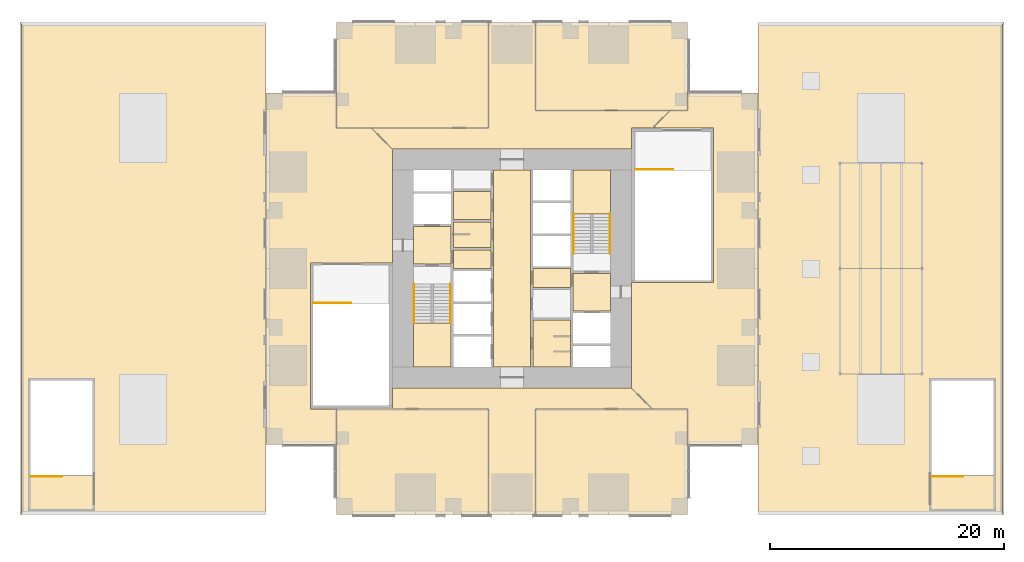
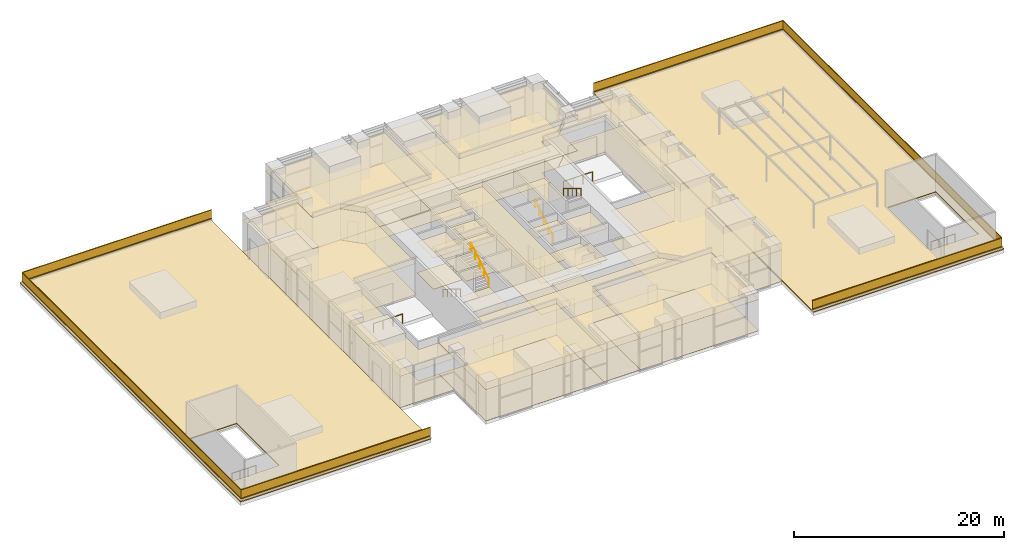
# One storey, part 13 of 14: 36 coverings, 10 railings.
"""IFC4 building model written with IfcOpenShell, lengths in metres."""

from ifc_helpers import new_model, si_unit, direction, frame, origin, origin_2d, place, context, subcontext, project, spatial, polyline, rectangle, circle, outline, extrude, material, layer, layer_set, type_object, element, save


model = new_model("IFC4")

# Units and contexts
model_context = context("Model", 3, precision=1e-05, world=origin(), true_north=direction((0.0, 1.0)))
body_context = subcontext(model_context, "Body", "Model", "MODEL_VIEW")
ifc_project = project(units=[si_unit("LENGTHUNIT", "METRE"), si_unit("AREAUNIT", "SQUARE_METRE"), si_unit("VOLUMEUNIT", "CUBIC_METRE"), si_unit("PLANEANGLEUNIT", "RADIAN"), si_unit("MASSUNIT", "GRAM", prefix="KILO")], contexts=[model_context])

# Site, building, storey
site_placement = place(None, origin())
site = spatial("IfcSite", under=ifc_project, at=site_placement, CompositionType="ELEMENT")
building_placement = place(site_placement, origin())
building = spatial("IfcBuilding", under=site, at=building_placement, Name="Svetlomir Tower", CompositionType="ELEMENT")
storey_placement = place(building_placement, frame((0.0, 0.0, 18.0)))
storey = spatial("IfcBuildingStorey", under=building, at=storey_placement, Name="L03", CompositionType="ELEMENT", Elevation=18.0)

# Coverings
ifc_material_1 = material(Name="Perforated timber acoustic panel", Category="wood")
ifc_layer_1 = layer(ifc_material_1, 0.0400390625)
ifc_layer_set_1 = layer_set([ifc_layer_1], Name="Perforated timber acoustic panel")
covering_type_1 = type_object("IfcCoveringType", Name="ACOUSTIC CEILING 40", PredefinedType="CEILING", material=ifc_layer_set_1)
covering_1_placement = place(storey_placement, frame((0.0, 0.0, 3.610107421875)))
element("IfcCovering", 1, at=covering_1_placement, inside=storey, type_object=covering_type_1, Name="Ceiling L03-13", PredefinedType="CEILING", context=body_context, shape_type="SweptSolid", body=[
    extrude(outline(polyline([(6.0, 0.0), (19.0, 0.0), (19.0, 9.0), (6.0, 9.0), (6.0, 0.0)])), origin(), (0.0, 0.0, 1.0), 0.039794921875),
])
covering_2_placement = place(storey_placement, frame((0.0, 0.0, 3.610107421875)))
element("IfcCovering", 2, at=covering_2_placement, inside=storey, type_object=covering_type_1, Name="Ceiling L03-14", PredefinedType="CEILING", context=body_context, shape_type="SweptSolid", body=[
    extrude(outline(polyline([(23.0, 0.0), (36.0, 0.0), (36.0, 9.0), (23.0, 9.0), (23.0, 0.0)])), origin(), (0.0, 0.0, 1.0), 0.039794921875),
])
covering_3_placement = place(storey_placement, frame((0.0, 0.0, 3.610107421875)))
element("IfcCovering", 3, at=covering_3_placement, inside=storey, type_object=covering_type_1, Name="Ceiling L03-15", PredefinedType="CEILING", context=body_context, shape_type="SweptSolid", body=[
    extrude(outline(polyline([(6.0, 33.0), (19.0, 33.0), (19.0, 42.0), (6.0, 42.0), (6.0, 33.0)])), origin(), (0.0, 0.0, 1.0), 0.039794921875),
])
covering_4_placement = place(storey_placement, frame((0.0, 0.0, 3.610107421875)))
element("IfcCovering", 4, at=covering_4_placement, inside=storey, type_object=covering_type_1, Name="Ceiling L03-16", PredefinedType="CEILING", context=body_context, shape_type="SweptSolid", body=[
    extrude(outline(polyline([(23.0, 34.5), (36.0, 34.5), (36.0, 42.0), (23.0, 42.0), (23.0, 34.5)])), origin(), (0.0, 0.0, 1.0), 0.039794921875),
])
ifc_material_2 = material(Name="Carpet tile", Category="textile")
ifc_layer_2 = layer(ifc_material_2, 0.010009765625)
ifc_layer_set_2 = layer_set([ifc_layer_2], Name="Carpet tile")
covering_type_2 = type_object("IfcCoveringType", Name="CARPET TILE FLOOR 10", PredefinedType="FLOORING", material=ifc_layer_set_2)
covering_5_placement = place(storey_placement, origin())
element("IfcCovering", 5, at=covering_5_placement, inside=storey, type_object=covering_type_2, Name="Floor finish L03-13", PredefinedType="FLOORING", context=body_context, shape_type="SweptSolid", body=[
    extrude(outline(polyline([(6.0, 0.0), (19.0, 0.0), (19.0, 9.0), (6.0, 9.0), (6.0, 0.0)])), origin(), (0.0, 0.0, 1.0), 0.010009765625),
])
covering_6_placement = place(storey_placement, origin())
element("IfcCovering", 6, at=covering_6_placement, inside=storey, type_object=covering_type_2, Name="Floor finish L03-14", PredefinedType="FLOORING", context=body_context, shape_type="SweptSolid", body=[
    extrude(outline(polyline([(23.0, 0.0), (36.0, 0.0), (36.0, 9.0), (23.0, 9.0), (23.0, 0.0)])), origin(), (0.0, 0.0, 1.0), 0.010009765625),
])
covering_7_placement = place(storey_placement, origin())
element("IfcCovering", 7, at=covering_7_placement, inside=storey, type_object=covering_type_2, Name="Floor finish L03-15", PredefinedType="FLOORING", context=body_context, shape_type="SweptSolid", body=[
    extrude(outline(polyline([(6.0, 33.0), (19.0, 33.0), (19.0, 42.0), (6.0, 42.0), (6.0, 33.0)])), origin(), (0.0, 0.0, 1.0), 0.010009765625),
])
covering_8_placement = place(storey_placement, origin())
element("IfcCovering", 8, at=covering_8_placement, inside=storey, type_object=covering_type_2, Name="Floor finish L03-16", PredefinedType="FLOORING", context=body_context, shape_type="SweptSolid", body=[
    extrude(outline(polyline([(23.0, 34.5), (36.0, 34.5), (36.0, 42.0), (23.0, 42.0), (23.0, 34.5)])), origin(), (0.0, 0.0, 1.0), 0.010009765625),
])
covering_9_placement = place(storey_placement, origin())
element("IfcCovering", 9, at=covering_9_placement, inside=storey, type_object=covering_type_2, Name="Floor finish L03-21", PredefinedType="FLOORING", context=body_context, shape_type="SweptSolid", body=[
    extrude(outline(polyline([(19.0, 9.0), (10.800048828125, 9.0), (10.800048828125, 10.800048828125), (31.199951171875, 10.800048828125), (33.0, 9.0), (23.0, 9.0), (23.0, 0.0), (19.0, 0.0), (19.0, 9.0)])), origin(), (0.0, 0.0, 1.0), 0.010009765625),
])
covering_10_placement = place(storey_placement, origin())
element("IfcCovering", 10, at=covering_10_placement, inside=storey, type_object=covering_type_2, Name="Floor finish L03-22", PredefinedType="FLOORING", context=body_context, shape_type="SweptSolid", body=[
    extrude(outline(polyline([(31.199951171875, 19.800048828125), (38.199951171875, 19.800048828125), (38.199951171875, 33.0), (33.0, 33.0), (34.5, 34.5), (36.0, 34.5), (36.0, 36.0), (42.0, 36.0), (42.0, 6.0), (36.0, 6.0), (36.0, 9.0), (33.0, 9.0), (31.199951171875, 10.800048828125), (31.199951171875, 19.800048828125)])), origin(), (0.0, 0.0, 1.0), 0.010009765625),
])
covering_11_placement = place(storey_placement, origin())
element("IfcCovering", 11, at=covering_11_placement, inside=storey, type_object=covering_type_2, Name="Floor finish L03-23", PredefinedType="FLOORING", context=body_context, shape_type="SweptSolid", body=[
    extrude(outline(polyline([(31.199951171875, 33.0), (31.199951171875, 31.199951171875), (10.800048828125, 31.199951171875), (9.0, 33.0), (19.0, 33.0), (19.0, 42.0), (23.0, 42.0), (23.0, 34.5), (34.5, 34.5), (33.0, 33.0), (31.199951171875, 33.0)])), origin(), (0.0, 0.0, 1.0), 0.010009765625),
])
covering_12_placement = place(storey_placement, origin())
element("IfcCovering", 12, at=covering_12_placement, inside=storey, type_object=covering_type_2, Name="Floor finish L03-24", PredefinedType="FLOORING", context=body_context, shape_type="SweptSolid", body=[
    extrude(outline(polyline([(10.800048828125, 31.199951171875), (10.800048828125, 21.5), (3.800048828125, 21.5), (3.800048828125, 9.0), (6.0, 9.0), (6.0, 6.0), (0.0, 6.0), (0.0, 36.0), (6.0, 36.0), (6.0, 33.0), (9.0, 33.0), (10.800048828125, 31.199951171875)])), origin(), (0.0, 0.0, 1.0), 0.010009765625),
])
ifc_material_3 = material(Name="Ceramic floor tile", Category="ceramic")
ifc_layer_3 = layer(ifc_material_3, 0.014892578125)
ifc_layer_set_3 = layer_set([ifc_layer_3], Name="Ceramic floor tile")
covering_type_3 = type_object("IfcCoveringType", Name="CERAMIC TILE FLOOR 15", PredefinedType="FLOORING", material=ifc_layer_set_3)
covering_13_placement = place(storey_placement, origin())
element("IfcCovering", 13, at=covering_13_placement, inside=storey, type_object=covering_type_3, Name="Floor finish L03-04", PredefinedType="FLOORING", context=body_context, shape_type="SweptSolid", body=[
    extrude(outline(polyline([(16.0, 22.800048828125), (19.199951171875, 22.800048828125), (19.199951171875, 25.0), (16.0, 25.0), (16.0, 22.800048828125)])), origin(), (0.0, 0.0, 1.0), 0.014892578125),
])
covering_14_placement = place(storey_placement, origin())
element("IfcCovering", 14, at=covering_14_placement, inside=storey, type_object=covering_type_3, Name="Floor finish L03-05", PredefinedType="FLOORING", context=body_context, shape_type="SweptSolid", body=[
    extrude(outline(polyline([(16.0, 25.199951171875), (19.199951171875, 25.199951171875), (19.199951171875, 27.60009765625), (16.0, 27.60009765625), (16.0, 25.199951171875)])), origin(), (0.0, 0.0, 1.0), 0.014892578125),
])
covering_15_placement = place(storey_placement, origin())
element("IfcCovering", 15, at=covering_15_placement, inside=storey, type_object=covering_type_3, Name="Floor finish L03-08", PredefinedType="FLOORING", context=body_context, shape_type="SweptSolid", body=[
    extrude(outline(polyline([(22.800048828125, 12.60009765625), (26.0, 12.60009765625), (26.0, 16.60009765625), (22.800048828125, 16.60009765625), (22.800048828125, 12.60009765625)])), origin(), (0.0, 0.0, 1.0), 0.014892578125),
])

# Railings
ifc_material_4 = material(Name="Stainless steel", Category="steel")
railing_type_1 = type_object("IfcRailingType", Name="HANDRAIL HR1 900", PredefinedType="HANDRAIL", material=ifc_material_4)
railing_1_placement = place(storey_placement, frame((12.64990234375, 19.699951171875, 0.173095703125)))
element("IfcRailing", 16, at=railing_1_placement, inside=storey, type_object=railing_type_1, Name="Handrail S1 flight 1 L03", PredefinedType="HANDRAIL", context=body_context, shape_type="SweptSolid", body=[
    extrude(circle(Radius=0.02392578125, at=origin_2d()), frame((0.0, 0.0, 0.8759765625), z_axis=(0.0, -0.850606129759, 0.525803396734), x_axis=(1.0, 0.0, 0.0)), (0.0, 0.0, 1.0), 3.949951171875),
    extrude(circle(Radius=0.02099609375, at=origin_2d()), origin(), (0.0, 0.0, 1.0), 0.851806640625),
    extrude(circle(Radius=0.02099609375, at=origin_2d()), frame((0.0, -0.83984375, 0.519287109375)), (0.0, 0.0, 1.0), 0.851806640625),
    extrude(circle(Radius=0.02099609375, at=origin_2d()), frame((0.0, -1.679931640625, 1.03857421875)), (0.0, 0.0, 1.0), 0.851806640625),
    extrude(circle(Radius=0.02099609375, at=origin_2d()), frame((0.0, -2.52001953125, 1.5576171875)), (0.0, 0.0, 1.0), 0.851806640625),
    extrude(circle(Radius=0.02099609375, at=origin_2d()), frame((0.0, -3.35986328125, 2.076904296875)), (0.0, 0.0, 1.0), 0.851806640625),
])
for number, where, name in (
    (17, (15.75, 16.340087890625, 2.423095703125), "Handrail S1 flight 2 L03"),
    (18, (26.25, 22.300048828125, 0.173095703125), "Handrail S2 flight 1 L03"),
):
    element("IfcRailing", number, at=place(storey_placement, frame(where)), inside=storey, type_object=railing_type_1, Name=name, PredefinedType="HANDRAIL", context=body_context, shape_type="SweptSolid", body=[
        extrude(circle(Radius=0.02392578125, at=origin_2d()), frame((0.0, 0.0, 0.8759765625), z_axis=(0.0, 0.850606129759, 0.525803396734), x_axis=(-1.0, 0.0, 0.0)), (0.0, 0.0, 1.0), 3.949951171875),
        extrude(circle(Radius=0.02099609375, at=origin_2d()), origin(), (0.0, 0.0, 1.0), 0.851806640625),
        extrude(circle(Radius=0.02099609375, at=origin_2d()), frame((0.0, 0.83984375, 0.519287109375)), (0.0, 0.0, 1.0), 0.851806640625),
        extrude(circle(Radius=0.02099609375, at=origin_2d()), frame((0.0, 1.679931640625, 1.03857421875)), (0.0, 0.0, 1.0), 0.851806640625),
        extrude(circle(Radius=0.02099609375, at=origin_2d()), frame((0.0, 2.52001953125, 1.5576171875)), (0.0, 0.0, 1.0), 0.851806640625),
        extrude(circle(Radius=0.02099609375, at=origin_2d()), frame((0.0, 3.35986328125, 2.076904296875)), (0.0, 0.0, 1.0), 0.851806640625),
    ])
railing_2_placement = place(storey_placement, frame((29.35009765625, 25.659912109375, 2.423095703125)))
element("IfcRailing", 19, at=railing_2_placement, inside=storey, type_object=railing_type_1, Name="Handrail S2 flight 2 L03", PredefinedType="HANDRAIL", context=body_context, shape_type="SweptSolid", body=[
    extrude(circle(Radius=0.02392578125, at=origin_2d()), frame((0.0, 0.0, 0.8759765625), z_axis=(0.0, -0.850606129759, 0.525803396734), x_axis=(1.0, 0.0, 0.0)), (0.0, 0.0, 1.0), 3.949951171875),
    extrude(circle(Radius=0.02099609375, at=origin_2d()), origin(), (0.0, 0.0, 1.0), 0.851806640625),
    extrude(circle(Radius=0.02099609375, at=origin_2d()), frame((0.0, -0.83984375, 0.519287109375)), (0.0, 0.0, 1.0), 0.851806640625),
    extrude(circle(Radius=0.02099609375, at=origin_2d()), frame((0.0, -1.679931640625, 1.03857421875)), (0.0, 0.0, 1.0), 0.851806640625),
    extrude(circle(Radius=0.02099609375, at=origin_2d()), frame((0.0, -2.52001953125, 1.5576171875)), (0.0, 0.0, 1.0), 0.851806640625),
    extrude(circle(Radius=0.02099609375, at=origin_2d()), frame((0.0, -3.35986328125, 2.076904296875)), (0.0, 0.0, 1.0), 0.851806640625),
])

# Coverings
ifc_material_5 = material(Name="Moisture resistant plasterboard ceiling", Category="gypsum")
ifc_layer_4 = layer(ifc_material_5, 0.012451171875)
ifc_layer_set_4 = layer_set([ifc_layer_4], Name="Moisture resistant plasterboard ceiling")
covering_type_4 = type_object("IfcCoveringType", Name="MOISTURE RESISTANT CEILING 12.5", PredefinedType="CEILING", material=ifc_layer_set_4)
covering_16_placement = place(storey_placement, frame((0.0, 0.0, 3.637451171875)))
element("IfcCovering", 20, at=covering_16_placement, inside=storey, type_object=covering_type_4, Name="Ceiling L03-04", PredefinedType="CEILING", context=body_context, shape_type="SweptSolid", body=[
    extrude(outline(polyline([(16.0, 22.800048828125), (19.199951171875, 22.800048828125), (19.199951171875, 25.0), (16.0, 25.0), (16.0, 22.800048828125)])), origin(), (0.0, 0.0, 1.0), 0.012451171875),
])
covering_17_placement = place(storey_placement, frame((0.0, 0.0, 3.637451171875)))
element("IfcCovering", 21, at=covering_17_placement, inside=storey, type_object=covering_type_4, Name="Ceiling L03-05", PredefinedType="CEILING", context=body_context, shape_type="SweptSolid", body=[
    extrude(outline(polyline([(16.0, 25.199951171875), (19.199951171875, 25.199951171875), (19.199951171875, 27.60009765625), (16.0, 27.60009765625), (16.0, 25.199951171875)])), origin(), (0.0, 0.0, 1.0), 0.012451171875),
])
covering_18_placement = place(storey_placement, frame((0.0, 0.0, 3.637451171875)))
element("IfcCovering", 22, at=covering_18_placement, inside=storey, type_object=covering_type_4, Name="Ceiling L03-08", PredefinedType="CEILING", context=body_context, shape_type="SweptSolid", body=[
    extrude(outline(polyline([(22.800048828125, 12.60009765625), (26.0, 12.60009765625), (26.0, 16.60009765625), (22.800048828125, 16.60009765625), (22.800048828125, 12.60009765625)])), origin(), (0.0, 0.0, 1.0), 0.012451171875),
])
ifc_material_6 = material(Name="Gypsum plasterboard ceiling", Category="gypsum")
ifc_layer_5 = layer(ifc_material_6, 0.014892578125)
ifc_layer_set_5 = layer_set([ifc_layer_5], Name="Gypsum plasterboard ceiling")
covering_type_5 = type_object("IfcCoveringType", Name="PLASTERBOARD CEILING 15", PredefinedType="CEILING", material=ifc_layer_set_5)
covering_19_placement = place(storey_placement, frame((0.0, 0.0, 3.635009765625)))
element("IfcCovering", 23, at=covering_19_placement, inside=storey, type_object=covering_type_5, Name="Ceiling L03-02", PredefinedType="CEILING", context=body_context, shape_type="SweptSolid", body=[
    extrude(outline(polyline([(12.60009765625, 21.39990234375), (15.800048828125, 21.39990234375), (15.800048828125, 24.60009765625), (12.60009765625, 24.60009765625), (12.60009765625, 21.39990234375)])), origin(), (0.0, 0.0, 1.0), 0.014892578125),
])
covering_20_placement = place(storey_placement, frame((0.0, 0.0, 3.635009765625)))
element("IfcCovering", 24, at=covering_20_placement, inside=storey, type_object=covering_type_5, Name="Ceiling L03-03", PredefinedType="CEILING", context=body_context, shape_type="SweptSolid", body=[
    extrude(outline(polyline([(16.0, 21.0), (19.199951171875, 21.0), (19.199951171875, 22.60009765625), (16.0, 22.60009765625), (16.0, 21.0)])), origin(), (0.0, 0.0, 1.0), 0.014892578125),
])
covering_21_placement = place(storey_placement, frame((0.0, 0.0, 3.635009765625)))
element("IfcCovering", 25, at=covering_21_placement, inside=storey, type_object=covering_type_5, Name="Ceiling L03-07", PredefinedType="CEILING", context=body_context, shape_type="SweptSolid", body=[
    extrude(outline(polyline([(19.39990234375, 12.60009765625), (22.60009765625, 12.60009765625), (22.60009765625, 29.39990234375), (19.39990234375, 29.39990234375), (19.39990234375, 12.60009765625)])), origin(), (0.0, 0.0, 1.0), 0.014892578125),
])
covering_22_placement = place(storey_placement, frame((0.0, 0.0, 3.635009765625)))
element("IfcCovering", 26, at=covering_22_placement, inside=storey, type_object=covering_type_5, Name="Ceiling L03-10", PredefinedType="CEILING", context=body_context, shape_type="SweptSolid", body=[
    extrude(outline(polyline([(22.800048828125, 19.39990234375), (26.0, 19.39990234375), (26.0, 21.0), (22.800048828125, 21.0), (22.800048828125, 19.39990234375)])), origin(), (0.0, 0.0, 1.0), 0.014892578125),
])
covering_23_placement = place(storey_placement, frame((0.0, 0.0, 3.635009765625)))
element("IfcCovering", 27, at=covering_23_placement, inside=storey, type_object=covering_type_5, Name="Ceiling L03-11", PredefinedType="CEILING", context=body_context, shape_type="SweptSolid", body=[
    extrude(outline(polyline([(26.199951171875, 17.39990234375), (29.39990234375, 17.39990234375), (29.39990234375, 20.60009765625), (26.199951171875, 20.60009765625), (26.199951171875, 17.39990234375)])), origin(), (0.0, 0.0, 1.0), 0.014892578125),
])
ifc_material_7 = material(Name="Studded rubber floor finish", Category="rubber")
ifc_layer_6 = layer(ifc_material_7, 0.006103515625)
ifc_layer_set_6 = layer_set([ifc_layer_6], Name="Studded rubber floor finish")
covering_type_6 = type_object("IfcCoveringType", Name="RUBBER LANDING FINISH 6", PredefinedType="FLOORING", material=ifc_layer_set_6)
covering_24_placement = place(storey_placement, frame((0.0, 0.0, 2.25)))
element("IfcCovering", 28, at=covering_24_placement, inside=storey, type_object=covering_type_6, Name="Stair S1 landing finish L03", PredefinedType="FLOORING", context=body_context, shape_type="SweptSolid", body=[
    extrude(outline(polyline([(12.60009765625, 12.60009765625), (15.800048828125, 12.60009765625), (15.800048828125, 16.340087890625), (12.60009765625, 16.340087890625), (12.60009765625, 12.60009765625)])), origin(), (0.0, 0.0, 1.0), 0.006103515625),
])
covering_25_placement = place(storey_placement, frame((0.0, 0.0, 2.25)))
element("IfcCovering", 29, at=covering_25_placement, inside=storey, type_object=covering_type_6, Name="Stair S2 landing finish L03", PredefinedType="FLOORING", context=body_context, shape_type="SweptSolid", body=[
    extrude(outline(polyline([(26.199951171875, 25.659912109375), (29.39990234375, 25.659912109375), (29.39990234375, 29.39990234375), (26.199951171875, 29.39990234375), (26.199951171875, 25.659912109375)])), origin(), (0.0, 0.0, 1.0), 0.006103515625),
])

# Railings
ifc_material_8 = material(Name="Painted steel balustrade", Category="steel")
railing_type_2 = type_object("IfcRailingType", Name="STAIR WELL GUARD GR3 1100", PredefinedType="GUARDRAIL", material=ifc_material_8)
for number, where, name in (
    (30, (4.050048828125, 18.050048828125, 0.0), "Stair P1 well guard L03"),
    (31, (31.550048828125, 29.449951171875, 0.0), "Stair P2 well guard L03"),
):
    element("IfcRailing", number, at=place(storey_placement, frame(where)), inside=storey, type_object=railing_type_2, Name=name, PredefinedType="GUARDRAIL", context=body_context, shape_type="SweptSolid", body=[
        extrude(circle(Radius=0.02392578125, at=origin_2d()), frame((0.0, 0.0, 1.076171875), z_axis=(1.0, 0.0, 0.0), x_axis=(0.0, 1.0, 0.0)), (0.0, 0.0, 1.0), 3.199951171875),
        extrude(circle(Radius=0.02099609375, at=origin_2d()), origin(), (0.0, 0.0, 1.0), 1.052001953125),
        extrude(circle(Radius=0.02099609375, at=origin_2d()), frame((1.066650390625, 0.0, 0.0)), (0.0, 0.0, 1.0), 1.052001953125),
        extrude(circle(Radius=0.02099609375, at=origin_2d()), frame((2.13330078125, 0.0, 0.0)), (0.0, 0.0, 1.0), 1.052001953125),
        extrude(circle(Radius=0.02099609375, at=origin_2d()), frame((3.199951171875, 0.0, 0.0)), (0.0, 0.0, 1.0), 1.052001953125),
    ])
railing_3_placement = place(storey_placement, frame((-20.050048828125, 3.25, 0.0)))
element("IfcRailing", 32, at=railing_3_placement, inside=storey, type_object=railing_type_2, Name="Stair P3 well guard L03", PredefinedType="GUARDRAIL", context=body_context, shape_type="SweptSolid", body=[
    extrude(circle(Radius=0.02392578125, at=origin_2d()), frame((0.0, 0.0, 1.076171875), z_axis=(1.0, 0.0, 0.0), x_axis=(0.0, 1.0, 0.0)), (0.0, 0.0, 1.0), 2.650146484375),
    extrude(circle(Radius=0.02099609375, at=origin_2d()), origin(), (0.0, 0.0, 1.0), 1.052001953125),
    extrude(circle(Radius=0.02099609375, at=origin_2d()), frame((0.88330078125, 0.0, 0.0)), (0.0, 0.0, 1.0), 1.052001953125),
    extrude(circle(Radius=0.02099609375, at=origin_2d()), frame((1.766845703125, 0.0, 0.0)), (0.0, 0.0, 1.0), 1.052001953125),
    extrude(circle(Radius=0.02099609375, at=origin_2d()), frame((2.650146484375, 0.0, 0.0)), (0.0, 0.0, 1.0), 1.052001953125),
])
railing_4_placement = place(storey_placement, frame((56.85009765625, 3.25, 0.0)))
element("IfcRailing", 33, at=railing_4_placement, inside=storey, type_object=railing_type_2, Name="Stair P4 well guard L03", PredefinedType="GUARDRAIL", context=body_context, shape_type="SweptSolid", body=[
    extrude(circle(Radius=0.02392578125, at=origin_2d()), frame((0.0, 0.0, 1.076171875), z_axis=(1.0, 0.0, 0.0), x_axis=(0.0, 1.0, 0.0)), (0.0, 0.0, 1.0), 2.64990234375),
    extrude(circle(Radius=0.02099609375, at=origin_2d()), origin(), (0.0, 0.0, 1.0), 1.052001953125),
    extrude(circle(Radius=0.02099609375, at=origin_2d()), frame((0.88330078125, 0.0, 0.0)), (0.0, 0.0, 1.0), 1.052001953125),
    extrude(circle(Radius=0.02099609375, at=origin_2d()), frame((1.7666015625, 0.0, 0.0)), (0.0, 0.0, 1.0), 1.052001953125),
    extrude(circle(Radius=0.02099609375, at=origin_2d()), frame((2.64990234375, 0.0, 0.0)), (0.0, 0.0, 1.0), 1.052001953125),
])

# Coverings
ifc_material_9 = material(Name="Mineral fibre ceiling tile", Category="mineral")
ifc_layer_7 = layer(ifc_material_9, 0.02001953125)
ifc_layer_set_7 = layer_set([ifc_layer_7], Name="Mineral fibre ceiling tile")
covering_type_7 = type_object("IfcCoveringType", Name="SUSPENDED CEILING 20", PredefinedType="CEILING", material=ifc_layer_set_7)
covering_26_placement = place(storey_placement, frame((0.0, 0.0, 3.6298828125)))
element("IfcCovering", 34, at=covering_26_placement, inside=storey, type_object=covering_type_7, Name="Ceiling L03-21", PredefinedType="CEILING", context=body_context, shape_type="SweptSolid", body=[
    extrude(outline(polyline([(19.0, 9.0), (10.800048828125, 9.0), (10.800048828125, 10.800048828125), (31.199951171875, 10.800048828125), (33.0, 9.0), (23.0, 9.0), (23.0, 0.0), (19.0, 0.0), (19.0, 9.0)])), origin(), (0.0, 0.0, 1.0), 0.02001953125),
])
covering_27_placement = place(storey_placement, frame((0.0, 0.0, 3.6298828125)))
element("IfcCovering", 35, at=covering_27_placement, inside=storey, type_object=covering_type_7, Name="Ceiling L03-22", PredefinedType="CEILING", context=body_context, shape_type="SweptSolid", body=[
    extrude(outline(polyline([(31.199951171875, 19.800048828125), (38.199951171875, 19.800048828125), (38.199951171875, 33.0), (33.0, 33.0), (34.5, 34.5), (36.0, 34.5), (36.0, 36.0), (42.0, 36.0), (42.0, 6.0), (36.0, 6.0), (36.0, 9.0), (33.0, 9.0), (31.199951171875, 10.800048828125), (31.199951171875, 19.800048828125)])), origin(), (0.0, 0.0, 1.0), 0.02001953125),
])
covering_28_placement = place(storey_placement, frame((0.0, 0.0, 3.6298828125)))
element("IfcCovering", 36, at=covering_28_placement, inside=storey, type_object=covering_type_7, Name="Ceiling L03-23", PredefinedType="CEILING", context=body_context, shape_type="SweptSolid", body=[
    extrude(outline(polyline([(31.199951171875, 33.0), (31.199951171875, 31.199951171875), (10.800048828125, 31.199951171875), (9.0, 33.0), (19.0, 33.0), (19.0, 42.0), (23.0, 42.0), (23.0, 34.5), (34.5, 34.5), (33.0, 33.0), (31.199951171875, 33.0)])), origin(), (0.0, 0.0, 1.0), 0.02001953125),
])
covering_29_placement = place(storey_placement, frame((0.0, 0.0, 3.6298828125)))
element("IfcCovering", 37, at=covering_29_placement, inside=storey, type_object=covering_type_7, Name="Ceiling L03-24", PredefinedType="CEILING", context=body_context, shape_type="SweptSolid", body=[
    extrude(outline(polyline([(10.800048828125, 31.199951171875), (10.800048828125, 21.5), (3.800048828125, 21.5), (3.800048828125, 9.0), (6.0, 9.0), (6.0, 6.0), (0.0, 6.0), (0.0, 36.0), (6.0, 36.0), (6.0, 33.0), (9.0, 33.0), (10.800048828125, 31.199951171875)])), origin(), (0.0, 0.0, 1.0), 0.02001953125),
])

# Railings
ifc_material_10 = material(Name="Bronze anodised aluminium and laminated glass", Category="aluminium")
railing_type_3 = type_object("IfcRailingType", Name="TERRACE GUARD GR2 1100", PredefinedType="GUARDRAIL", material=ifc_material_10)
railing_5_placement = place(storey_placement, frame((0.0, 0.14990234375, 0.25)))
element("IfcRailing", 38, at=railing_5_placement, inside=storey, type_object=railing_type_3, Name="Roof terrace guard W", PredefinedType="GUARDRAIL", context=body_context, shape_type="SweptSolid", body=[
    extrude(rectangle(XDim=0.06005859375, YDim=0.10009765625, at=origin_2d()), frame((0.0, 0.0, 0.050048828125), z_axis=(-1.0, 0.0, 0.0), x_axis=(0.0, -1.0, 0.0)), (0.0, 0.0, 1.0), 20.85009765625),
    extrude(rectangle(XDim=0.021484375, YDim=0.960205078125, at=origin_2d()), frame((0.0, 0.0, 0.580078125), z_axis=(-1.0, 0.0, 0.0), x_axis=(0.0, -1.0, 0.0)), (0.0, 0.0, 1.0), 20.85009765625),
    extrude(rectangle(XDim=0.06005859375, YDim=0.0400390625, at=origin_2d()), frame((0.0, 0.0, 1.080078125), z_axis=(-1.0, 0.0, 0.0), x_axis=(0.0, -1.0, 0.0)), (0.0, 0.0, 1.0), 20.85009765625),
    extrude(rectangle(XDim=0.06005859375, YDim=0.10009765625, at=origin_2d()), frame((-20.85009765625, 0.0, 0.050048828125), z_axis=(0.0, 1.0, 0.0), x_axis=(-1.0, 0.0, 0.0)), (0.0, 0.0, 1.0), 41.7001953125),
    extrude(rectangle(XDim=0.021484375, YDim=0.960205078125, at=origin_2d()), frame((-20.85009765625, 0.0, 0.580078125), z_axis=(0.0, 1.0, 0.0), x_axis=(-1.0, 0.0, 0.0)), (0.0, 0.0, 1.0), 41.7001953125),
    extrude(rectangle(XDim=0.06005859375, YDim=0.0400390625, at=origin_2d()), frame((-20.85009765625, 0.0, 1.080078125), z_axis=(0.0, 1.0, 0.0), x_axis=(-1.0, 0.0, 0.0)), (0.0, 0.0, 1.0), 41.7001953125),
    extrude(rectangle(XDim=0.06005859375, YDim=0.10009765625, at=origin_2d()), frame((-20.85009765625, 41.7001953125, 0.050048828125), z_axis=(1.0, 0.0, 0.0), x_axis=(0.0, 1.0, 0.0)), (0.0, 0.0, 1.0), 20.85009765625),
    extrude(rectangle(XDim=0.021484375, YDim=0.960205078125, at=origin_2d()), frame((-20.85009765625, 41.7001953125, 0.580078125), z_axis=(1.0, 0.0, 0.0), x_axis=(0.0, 1.0, 0.0)), (0.0, 0.0, 1.0), 20.85009765625),
    extrude(rectangle(XDim=0.06005859375, YDim=0.0400390625, at=origin_2d()), frame((-20.85009765625, 41.7001953125, 1.080078125), z_axis=(1.0, 0.0, 0.0), x_axis=(0.0, 1.0, 0.0)), (0.0, 0.0, 1.0), 20.85009765625),
])
railing_6_placement = place(storey_placement, frame((42.0, 0.14990234375, 0.25)))
element("IfcRailing", 39, at=railing_6_placement, inside=storey, type_object=railing_type_3, Name="Roof terrace guard E", PredefinedType="GUARDRAIL", context=body_context, shape_type="SweptSolid", body=[
    extrude(rectangle(XDim=0.06005859375, YDim=0.10009765625, at=origin_2d()), frame((0.0, 0.0, 0.050048828125), z_axis=(1.0, 0.0, 0.0), x_axis=(0.0, 1.0, 0.0)), (0.0, 0.0, 1.0), 20.85009765625),
    extrude(rectangle(XDim=0.021484375, YDim=0.960205078125, at=origin_2d()), frame((0.0, 0.0, 0.580078125), z_axis=(1.0, 0.0, 0.0), x_axis=(0.0, 1.0, 0.0)), (0.0, 0.0, 1.0), 20.85009765625),
    extrude(rectangle(XDim=0.06005859375, YDim=0.0400390625, at=origin_2d()), frame((0.0, 0.0, 1.080078125), z_axis=(1.0, 0.0, 0.0), x_axis=(0.0, 1.0, 0.0)), (0.0, 0.0, 1.0), 20.85009765625),
    extrude(rectangle(XDim=0.06005859375, YDim=0.10009765625, at=origin_2d()), frame((20.85009765625, 0.0, 0.050048828125), z_axis=(0.0, 1.0, 0.0), x_axis=(-1.0, 0.0, 0.0)), (0.0, 0.0, 1.0), 41.7001953125),
    extrude(rectangle(XDim=0.021484375, YDim=0.960205078125, at=origin_2d()), frame((20.85009765625, 0.0, 0.580078125), z_axis=(0.0, 1.0, 0.0), x_axis=(-1.0, 0.0, 0.0)), (0.0, 0.0, 1.0), 41.7001953125),
    extrude(rectangle(XDim=0.06005859375, YDim=0.0400390625, at=origin_2d()), frame((20.85009765625, 0.0, 1.080078125), z_axis=(0.0, 1.0, 0.0), x_axis=(-1.0, 0.0, 0.0)), (0.0, 0.0, 1.0), 41.7001953125),
    extrude(rectangle(XDim=0.06005859375, YDim=0.10009765625, at=origin_2d()), frame((20.85009765625, 41.7001953125, 0.050048828125), z_axis=(-1.0, 0.0, 0.0), x_axis=(0.0, -1.0, 0.0)), (0.0, 0.0, 1.0), 20.85009765625),
    extrude(rectangle(XDim=0.021484375, YDim=0.960205078125, at=origin_2d()), frame((20.85009765625, 41.7001953125, 0.580078125), z_axis=(-1.0, 0.0, 0.0), x_axis=(0.0, -1.0, 0.0)), (0.0, 0.0, 1.0), 20.85009765625),
    extrude(rectangle(XDim=0.06005859375, YDim=0.0400390625, at=origin_2d()), frame((20.85009765625, 41.7001953125, 1.080078125), z_axis=(-1.0, 0.0, 0.0), x_axis=(0.0, -1.0, 0.0)), (0.0, 0.0, 1.0), 20.85009765625),
])

# Coverings
ifc_material_11 = material(Name="Granite paving on pedestals", Category="masonry")
ifc_layer_8 = layer(ifc_material_11, 0.1201171875)
ifc_layer_set_8 = layer_set([ifc_layer_8], Name="Granite paving on pedestals")
covering_type_8 = type_object("IfcCoveringType", Name="TERRACE PAVING BUILD-UP 120", PredefinedType="ROOFING", material=ifc_layer_set_8)
covering_30_placement = place(storey_placement, origin())
element("IfcCovering", 40, at=covering_30_placement, inside=storey, type_object=covering_type_8, Name="Roofing West roof terrace", PredefinedType="ROOFING", context=body_context, shape_type="SweptSolid", body=[
    extrude(outline(polyline([(-21.0, 0.0), (-0.050048828125, 0.0), (-0.050048828125, 42.0), (-21.0, 42.0), (-21.0, 0.0)]), holes=[polyline([(-20.10009765625, 3.320068359375), (-14.800048828125, 3.320068359375), (-14.800048828125, 11.449951171875), (-20.10009765625, 11.449951171875), (-20.10009765625, 3.320068359375)])]), origin(), (0.0, 0.0, 1.0), 0.1201171875),
])
covering_31_placement = place(storey_placement, origin())
element("IfcCovering", 41, at=covering_31_placement, inside=storey, type_object=covering_type_8, Name="Roofing East roof terrace", PredefinedType="ROOFING", context=body_context, shape_type="SweptSolid", body=[
    extrude(outline(polyline([(42.050048828125, 0.0), (63.0, 0.0), (63.0, 42.0), (42.050048828125, 42.0), (42.050048828125, 0.0)]), holes=[polyline([(56.800048828125, 3.320068359375), (62.10009765625, 3.320068359375), (62.10009765625, 11.449951171875), (56.800048828125, 11.449951171875), (56.800048828125, 3.320068359375)])]), origin(), (0.0, 0.0, 1.0), 0.1201171875),
])
ifc_material_12 = material(Name="Bronze-aggregate terrazzo", Category="stone")
ifc_layer_9 = layer(ifc_material_12, 0.030029296875)
ifc_layer_set_9 = layer_set([ifc_layer_9], Name="Bronze-aggregate terrazzo")
covering_type_9 = type_object("IfcCoveringType", Name="TERRAZZO FLOOR 30", PredefinedType="FLOORING", material=ifc_layer_set_9)
covering_32_placement = place(storey_placement, origin())
element("IfcCovering", 42, at=covering_32_placement, inside=storey, type_object=covering_type_9, Name="Floor finish L03-02", PredefinedType="FLOORING", context=body_context, shape_type="SweptSolid", body=[
    extrude(outline(polyline([(12.60009765625, 21.39990234375), (15.800048828125, 21.39990234375), (15.800048828125, 24.60009765625), (12.60009765625, 24.60009765625), (12.60009765625, 21.39990234375)])), origin(), (0.0, 0.0, 1.0), 0.030029296875),
])
covering_33_placement = place(storey_placement, origin())
element("IfcCovering", 43, at=covering_33_placement, inside=storey, type_object=covering_type_9, Name="Floor finish L03-03", PredefinedType="FLOORING", context=body_context, shape_type="SweptSolid", body=[
    extrude(outline(polyline([(16.0, 21.0), (19.199951171875, 21.0), (19.199951171875, 22.60009765625), (16.0, 22.60009765625), (16.0, 21.0)])), origin(), (0.0, 0.0, 1.0), 0.030029296875),
])
covering_34_placement = place(storey_placement, origin())
element("IfcCovering", 44, at=covering_34_placement, inside=storey, type_object=covering_type_9, Name="Floor finish L03-07", PredefinedType="FLOORING", context=body_context, shape_type="SweptSolid", body=[
    extrude(outline(polyline([(19.39990234375, 12.60009765625), (22.60009765625, 12.60009765625), (22.60009765625, 29.39990234375), (19.39990234375, 29.39990234375), (19.39990234375, 12.60009765625)])), origin(), (0.0, 0.0, 1.0), 0.030029296875),
])
covering_35_placement = place(storey_placement, origin())
element("IfcCovering", 45, at=covering_35_placement, inside=storey, type_object=covering_type_9, Name="Floor finish L03-10", PredefinedType="FLOORING", context=body_context, shape_type="SweptSolid", body=[
    extrude(outline(polyline([(22.800048828125, 19.39990234375), (26.0, 19.39990234375), (26.0, 21.0), (22.800048828125, 21.0), (22.800048828125, 19.39990234375)])), origin(), (0.0, 0.0, 1.0), 0.030029296875),
])
covering_36_placement = place(storey_placement, origin())
element("IfcCovering", 46, at=covering_36_placement, inside=storey, type_object=covering_type_9, Name="Floor finish L03-11", PredefinedType="FLOORING", context=body_context, shape_type="SweptSolid", body=[
    extrude(outline(polyline([(26.199951171875, 17.39990234375), (29.39990234375, 17.39990234375), (29.39990234375, 20.60009765625), (26.199951171875, 20.60009765625), (26.199951171875, 17.39990234375)])), origin(), (0.0, 0.0, 1.0), 0.030029296875),
])

save(model, "model.ifc")
